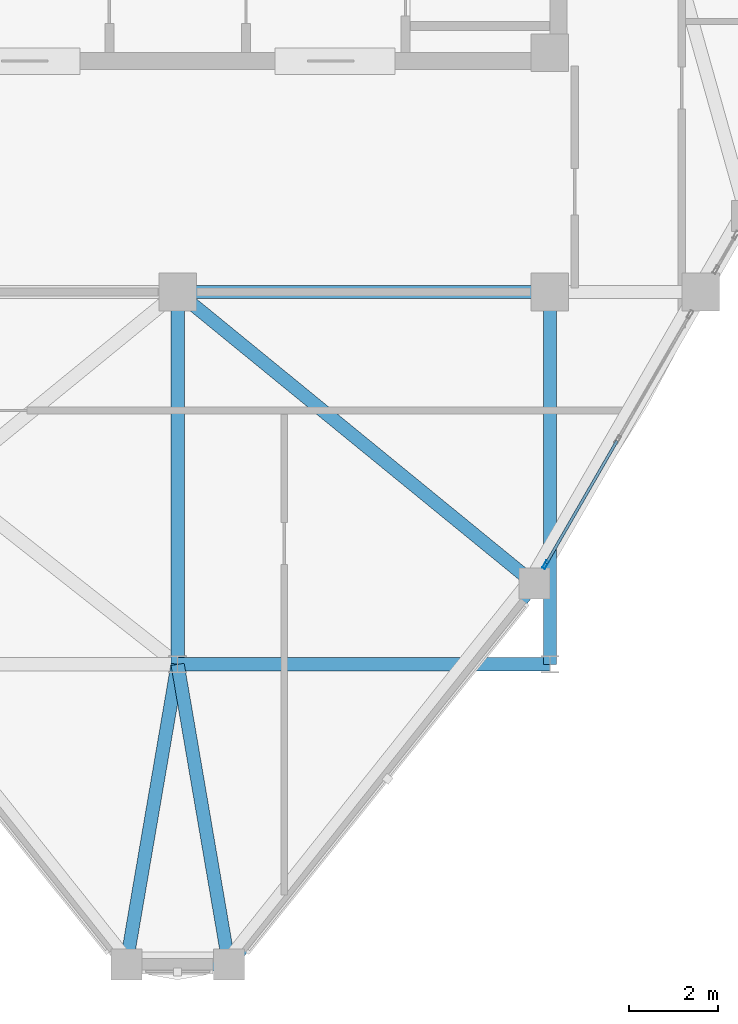
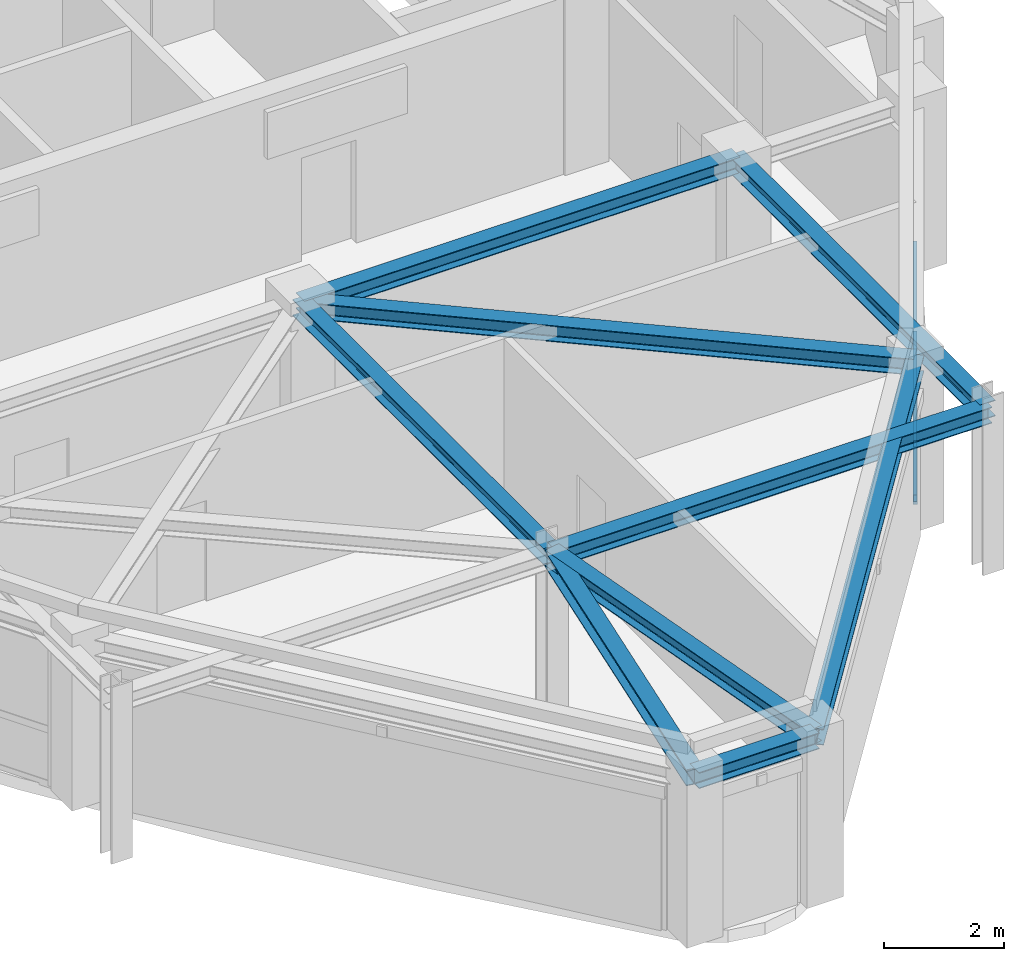
# One storey, part 3 of 13: 9 beams, 4 members, 1 element without a shape of its own.
"""IFC4 building model written with IfcOpenShell, lengths in metres."""

from ifc_helpers import new_model, si_unit, derived_unit, direction, frame, origin, origin_2d, place, context, subcontext, project, spatial, hollow_rectangle, i_section, extrude, source, transform, mapped, material, layer, layer_set, material_profile, profile_set, type_object, element, aggregate, save


model = new_model("IFC4")

# Units and contexts
model_context = context("Model", 3, precision=1e-05, world=origin(), true_north=direction((0.0, 1.0)))
body_context = subcontext(model_context, "Body", "Model", "MODEL_VIEW")
ifc_project = project(units=[si_unit("LENGTHUNIT", "METRE"), si_unit("AREAUNIT", "SQUARE_METRE"), si_unit("VOLUMEUNIT", "CUBIC_METRE"), si_unit("PLANEANGLEUNIT", "RADIAN"), si_unit("MASSUNIT", "GRAM", prefix="KILO"), derived_unit("THERMALTRANSMITTANCEUNIT", [(si_unit("POWERUNIT", "WATT"), 1), (si_unit("LENGTHUNIT", "METRE"), -2), (si_unit("THERMODYNAMICTEMPERATUREUNIT", "KELVIN"), -1)])], contexts=[model_context])

# Site, building, storey
site_placement = place(None, origin())
site = spatial("IfcSite", under=ifc_project, at=site_placement, CompositionType="ELEMENT")
building_placement = place(site_placement, origin())
building = spatial("IfcBuilding", under=site, at=building_placement, Name="Korsvarv Bourse and Concert Hall", CompositionType="ELEMENT")
storey_placement = place(building_placement, frame((0.0, 0.0, 296.10009765625)))
storey = spatial("IfcBuildingStorey", under=building, at=storey_placement, Name="L77", CompositionType="ELEMENT", Elevation=296.10009765625)

# Beams
ifc_material_1 = material(Name="Steel S355", Category="steel")
ifc_material_profile_1 = material_profile(ifc_material_1, i_section(OverallWidth=0.300048828125, OverallDepth=0.330078125, WebThickness=0.009521484375, FlangeThickness=0.0166015625, FilletRadius=0.02099609375, at=origin_2d()), Name="HEA 340")
ifc_profile_set_1 = profile_set([ifc_material_profile_1], Name="Steel S355")
beam_type = type_object("IfcBeamType", Name="BM-HEA340", PredefinedType="BEAM", material=ifc_profile_set_1)
shared_shape_1 = source(origin(), body_context, "Body", "SweptSolid", [
    extrude(i_section(OverallWidth=0.300048828125, OverallDepth=0.330078125, WebThickness=0.009521484375, FlangeThickness=0.0166015625, FilletRadius=0.02099609375, at=origin_2d()), origin(), (0.0, 0.0, 1.0), 8.39990234375),
])
for number, where, z_axis, x_axis, name in (
    (1, (36.0, 32.39990234375, 3.1748046875), (1.0, 0.0, 0.0), (0.0, 1.0, 0.0), "L77 beam B-12"),
    (2, (36.0, 24.0, 3.1748046875), (1.0, 0.0, 0.0), (0.0, 1.0, 0.0), "L77 beam B-12"),
    (3, (36.0, 24.0, 3.1748046875), (0.0, 1.0, 0.0), (-1.0, 0.0, 0.0), "L77 beam B-12"),
    (4, (44.39990234375, 24.0, 3.1748046875), (0.0, 1.0, 0.0), (-1.0, 0.0, 0.0), "L77 beam B-12"),
):
    element("IfcBeam", number, at=place(storey_placement, frame(where, z_axis=z_axis, x_axis=x_axis)), inside=storey, type_object=beam_type, Name=name, PredefinedType="BEAM", context=body_context, shape_type="MappedRepresentation", body=[
        mapped(shared_shape_1, transform((0.0, 0.0, 0.0), scale=1.0)),
    ])
shared_shape_2 = source(origin(), body_context, "Body", "SweptSolid", [
    extrude(i_section(OverallWidth=0.300048828125, OverallDepth=0.330078125, WebThickness=0.009521484375, FlangeThickness=0.0166015625, FilletRadius=0.02099609375, at=origin_2d()), origin(), (0.0, 0.0, 1.0), 2.31689453125),
])
beam_1_placement = place(storey_placement, frame((34.841552734375, 17.228759765625, 3.1748046875), z_axis=(1.0, 0.0, 0.0), x_axis=(0.0, 1.0, 0.0)))
element("IfcBeam", 5, at=beam_1_placement, inside=storey, type_object=beam_type, Name="L77 beam B-12", PredefinedType="BEAM", context=body_context, shape_type="MappedRepresentation", body=[
    mapped(shared_shape_2, transform((0.0, 0.0, 0.0), scale=1.0)),
])
shared_shape_3 = source(origin(), body_context, "Body", "SweptSolid", [
    extrude(i_section(OverallWidth=0.300048828125, OverallDepth=0.330078125, WebThickness=0.009521484375, FlangeThickness=0.0166015625, FilletRadius=0.02099609375, at=origin_2d()), origin(), (0.0, 0.0, 1.0), 11.015625),
])
beam_2_placement = place(storey_placement, frame((37.158447265625, 17.228759765625, 3.1748046875), z_axis=(0.625956455116, 0.779858010345, 0.0), x_axis=(-0.779858010345, 0.625956455116, 0.0)))
element("IfcBeam", 6, at=beam_2_placement, inside=storey, type_object=beam_type, Name="L77 beam B-12", PredefinedType="BEAM", context=body_context, shape_type="MappedRepresentation", body=[
    mapped(shared_shape_3, transform((0.0, 0.0, 0.0), scale=1.0)),
])
shared_shape_4 = source(origin(), body_context, "Body", "SweptSolid", [
    extrude(i_section(OverallWidth=0.300048828125, OverallDepth=0.330078125, WebThickness=0.009521484375, FlangeThickness=0.0166015625, FilletRadius=0.02099609375, at=origin_2d()), origin(), (0.0, 0.0, 1.0), 10.400390625),
])
beam_3_placement = place(storey_placement, frame((44.0537109375, 25.8193359375, 3.1748046875), z_axis=(-0.774373395788, 0.632728886567, 0.0), x_axis=(-0.632728886567, -0.774373395788, 0.0)))
element("IfcBeam", 7, at=beam_3_placement, inside=storey, type_object=beam_type, Name="L77 beam B-12", PredefinedType="BEAM", context=body_context, shape_type="MappedRepresentation", body=[
    mapped(shared_shape_4, transform((0.0, 0.0, 0.0), scale=1.0)),
])
shared_shape_5 = source(origin(), body_context, "Body", "SweptSolid", [
    extrude(i_section(OverallWidth=0.300048828125, OverallDepth=0.330078125, WebThickness=0.009521484375, FlangeThickness=0.0166015625, FilletRadius=0.02099609375, at=origin_2d()), origin(), (0.0, 0.0, 1.0), 6.86962890625),
])
for number, where, z_axis, x_axis, name in (
    (8, (34.841552734375, 17.228759765625, 3.1748046875), (0.168633356166, 0.985678847895, 0.0), (-0.985678847895, 0.168633356166, 0.0), "L77 beam B-12"),
    (9, (37.158447265625, 17.228759765625, 3.1748046875), (-0.168633356166, 0.985678847895, 0.0), (-0.985678847895, -0.168633356166, 0.0), "L77 beam B-12"),
):
    element("IfcBeam", number, at=place(storey_placement, frame(where, z_axis=z_axis, x_axis=x_axis)), inside=storey, type_object=beam_type, Name=name, PredefinedType="BEAM", context=body_context, shape_type="MappedRepresentation", body=[
        mapped(shared_shape_5, transform((0.0, 0.0, 0.0), scale=1.0)),
    ])

# Curtain wall, members
ifc_material_2 = material(Name="Anodised aluminium and triple low-E glazing", Category="glass")
ifc_layer = layer(ifc_material_2, 0.22998046875)
ifc_layer_set = layer_set([ifc_layer], Name="Anodised aluminium and triple low-E glazing")
curtain_wall_type = type_object("IfcCurtainWallType", Name="CW-SYS-6", PredefinedType="NOTDEFINED", material=ifc_layer_set)
curtain_wall_placement = place(storey_placement, origin())
curtain_wall = element("IfcCurtainWall", 10, at=curtain_wall_placement, inside=storey, type_object=curtain_wall_type, Name="L77 CW6 curtain wall CW-L77-CRN11-1", PredefinedType="NOTDEFINED")
ifc_material_3 = material(Name="Extruded aluminium EN AW-6063 T66", Category="aluminium")
ifc_material_profile_2 = material_profile(ifc_material_3, hollow_rectangle(XDim=0.070068359375, YDim=0.18994140625, WallThickness=0.0048828125, at=origin_2d()), Name="ALU-M 70x190")
ifc_profile_set_2 = profile_set([ifc_material_profile_2], Name="Extruded aluminium EN AW-6063 T66")
member_type_1 = type_object("IfcMemberType", Name="CWM-190", PredefinedType="MULLION", material=ifc_profile_set_2)
shared_shape_6 = source(origin(), body_context, "Body", "SweptSolid", [
    extrude(hollow_rectangle(XDim=0.070068359375, YDim=0.18994140625, WallThickness=0.0048828125, at=origin_2d()), origin(), (0.0, 0.0, 1.0), 3.010009765625),
])
member_1_placement = place(storey_placement, frame((44.302001953125, 26.249755859375, 0.0), z_axis=(0.0, 0.0, 1.0), x_axis=(-0.866020783041, 0.500008003278, 0.0)))
member_1 = element("IfcMember", 11, at=member_1_placement, type_object=member_type_1, Name="CW6 mullion 1", PredefinedType="MULLION", context=body_context, shape_type="MappedRepresentation", body=[
    mapped(shared_shape_6, transform((0.0, 0.0, 0.0), scale=1.0)),
])
ifc_material_profile_3 = material_profile(ifc_material_3, hollow_rectangle(XDim=0.06494140625, YDim=0.139892578125, WallThickness=0.00390625, at=origin_2d()), Name="ALU-T 65x140")
ifc_profile_set_3 = profile_set([ifc_material_profile_3], Name="Extruded aluminium EN AW-6063 T66")
member_type_2 = type_object("IfcMemberType", Name="CWT-140", PredefinedType="USERDEFINED", material=ifc_profile_set_3)
shared_shape_7 = source(origin(), body_context, "Body", "SweptSolid", [
    extrude(hollow_rectangle(XDim=0.06494140625, YDim=0.139892578125, WallThickness=0.00390625, at=origin_2d()), origin(), (0.0, 0.0, 1.0), 3.189208984375),
])
member_2_placement = place(storey_placement, frame((44.319580078125, 26.280029296875, 0.032470703125), z_axis=(0.499967640965, 0.866044085476, 0.0), x_axis=(-0.866044085476, 0.499967640965, 0.0)))
member_2 = element("IfcMember", 12, at=member_2_placement, type_object=member_type_2, Name="CW6 transom 1.1", ObjectType="TRANSOM", PredefinedType="USERDEFINED", context=body_context, shape_type="MappedRepresentation", body=[
    mapped(shared_shape_7, transform((0.0, 0.0, 0.0), scale=1.0)),
])
member_3_placement = place(storey_placement, frame((44.319580078125, 26.280029296875, 1.143798828125), z_axis=(0.499967640965, 0.866044085476, 0.0), x_axis=(-0.866044085476, 0.499967640965, 0.0)))
member_3 = element("IfcMember", 13, at=member_3_placement, type_object=member_type_2, Name="CW6 transom 1.2", ObjectType="TRANSOM", PredefinedType="USERDEFINED", context=body_context, shape_type="MappedRepresentation", body=[
    mapped(shared_shape_7, transform((0.0, 0.0, 0.0), scale=1.0)),
])
member_4_placement = place(storey_placement, frame((44.319580078125, 26.280029296875, 2.977294921875), z_axis=(0.499967640965, 0.866044085476, 0.0), x_axis=(-0.866044085476, 0.499967640965, 0.0)))
member_4 = element("IfcMember", 14, at=member_4_placement, type_object=member_type_2, Name="CW6 transom 1.3", ObjectType="TRANSOM", PredefinedType="USERDEFINED", context=body_context, shape_type="MappedRepresentation", body=[
    mapped(shared_shape_7, transform((0.0, 0.0, 0.0), scale=1.0)),
])
aggregate(curtain_wall, [member_1, member_2, member_3, member_4])

save(model, "model.ifc")
